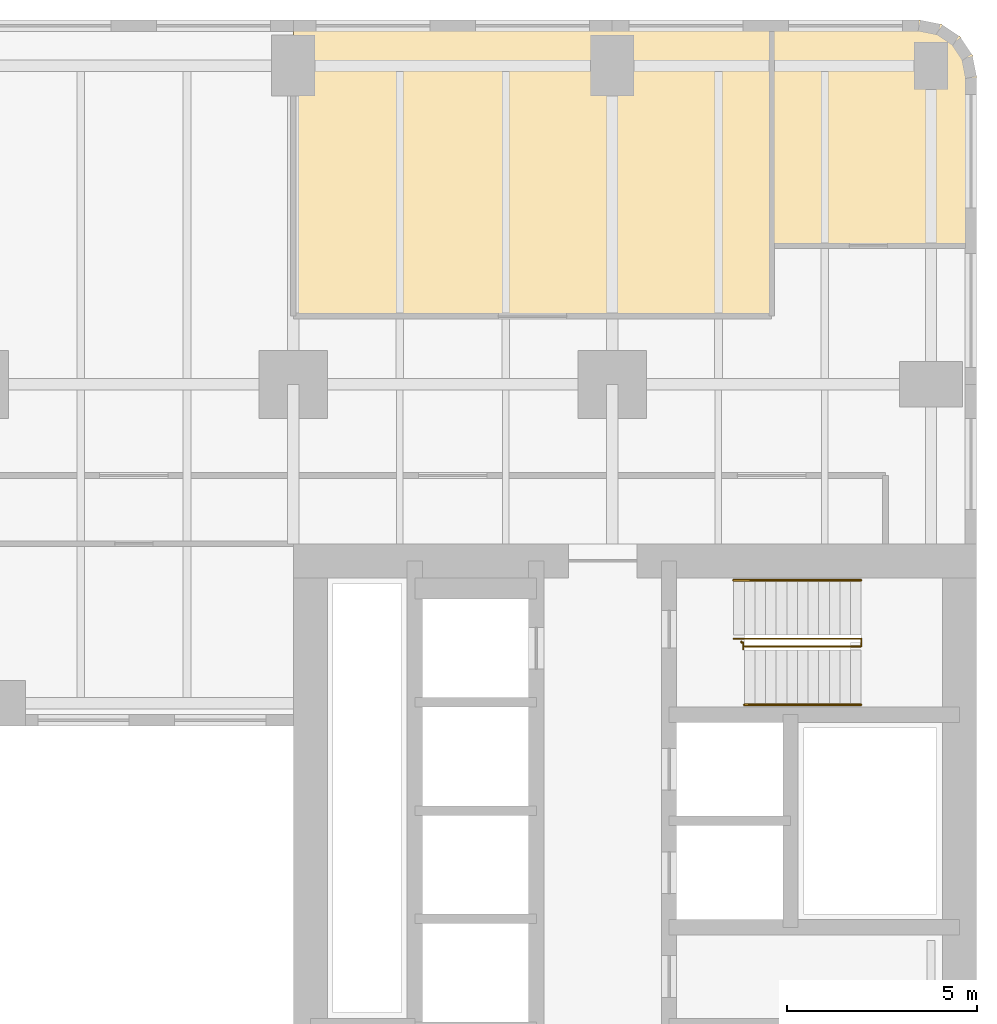
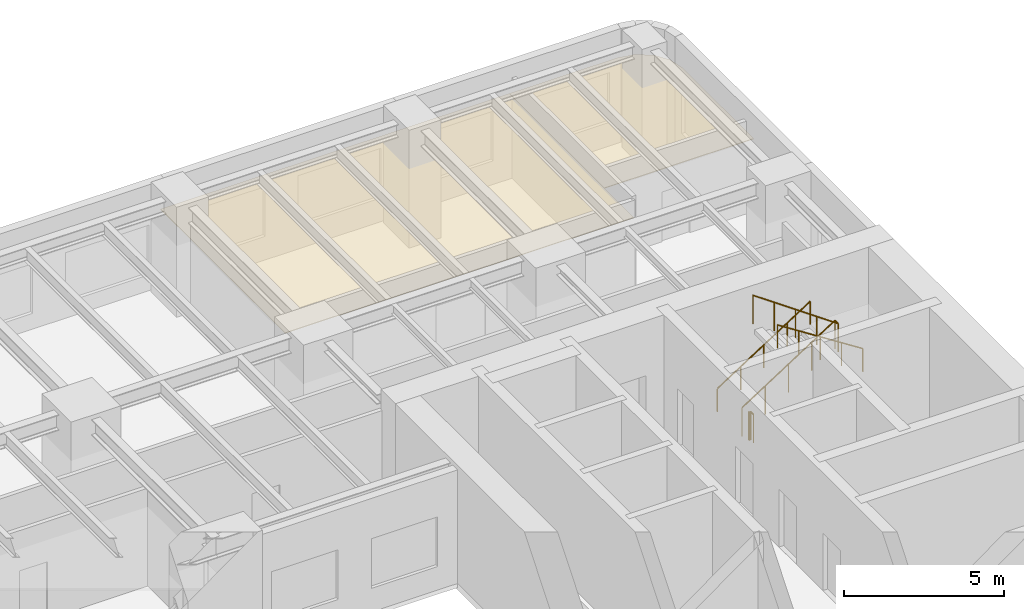
# One storey, part 14 of 14: 4 railings, 2 coverings.
"""IFC4 building model written with IfcOpenShell, lengths in metres."""

from ifc_helpers import new_model, si_unit, direction, frame, origin, origin_2d, place, context, subcontext, project, spatial, polyline, circle, outline, extrude, material, layer, layer_set, type_object, element, save


model = new_model("IFC4")

# Units and contexts
model_context = context("Model", 3, precision=1e-05, world=origin(), true_north=direction((0.0, 1.0)))
body_context = subcontext(model_context, "Body", "Model", "MODEL_VIEW")
ifc_project = project(units=[si_unit("LENGTHUNIT", "METRE"), si_unit("AREAUNIT", "SQUARE_METRE"), si_unit("VOLUMEUNIT", "CUBIC_METRE"), si_unit("PLANEANGLEUNIT", "RADIAN"), si_unit("MASSUNIT", "GRAM", prefix="KILO")], contexts=[model_context])

# Site, building, storey
site_placement = place(None, origin())
site = spatial("IfcSite", under=ifc_project, at=site_placement, CompositionType="ELEMENT")
building_placement = place(site_placement, origin())
building = spatial("IfcBuilding", under=site, at=building_placement, Name="Claustro Exchange Tower", CompositionType="ELEMENT")
storey_placement = place(building_placement, frame((0.0, 0.0, 77.39990234375)))
storey = spatial("IfcBuildingStorey", under=building, at=storey_placement, Name="L17", CompositionType="ELEMENT", Elevation=77.39990234375)

# Coverings
ifc_material_1 = material(Name="Gypsum board ceiling", Category="gypsum board")
ifc_layer = layer(ifc_material_1, 0.02490234375)
ifc_layer_set = layer_set([ifc_layer], Name="Gypsum board ceiling")
covering_type = type_object("IfcCoveringType", Name="CL2 plasterboard ceiling", PredefinedType="CEILING", material=ifc_layer_set)
covering_1_placement = place(storey_placement, frame((0.0, 0.0, 3.0)))
element("IfcCovering", 1, at=covering_1_placement, inside=storey, type_object=covering_type, Name="Ceiling CL2 L17-19", PredefinedType="CEILING", context=body_context, shape_type="SweptSolid", body=[
    extrude(outline(polyline([(46.199951171875, 51.60009765625), (33.60009765625, 51.60009765625), (33.60009765625, 43.800048828125), (46.199951171875, 43.800048828125), (46.199951171875, 51.60009765625)])), origin(), (0.0, 0.0, 1.0), 0.025146484375),
])
covering_2_placement = place(storey_placement, frame((0.0, 0.0, 3.0)))
element("IfcCovering", 2, at=covering_2_placement, inside=storey, type_object=covering_type, Name="Ceiling CL2 L17-20", PredefinedType="CEILING", context=body_context, shape_type="SweptSolid", body=[
    extrude(outline(polyline([(50.10009765625, 51.60009765625), (46.199951171875, 51.60009765625), (46.199951171875, 45.64990234375), (51.60009765625, 45.64990234375), (51.60009765625, 50.10009765625), (51.48583984375, 50.674072265625), (51.16064453125, 51.16064453125), (50.674072265625, 51.48583984375), (50.10009765625, 51.60009765625)])), origin(), (0.0, 0.0, 1.0), 0.025146484375),
])

# Railings
ifc_material_2 = material(Name="Steel balustrade, painted", Category="steel")
railing_type_1 = type_object("IfcRailingType", Name="GR2 1100 steel stair guard", PredefinedType="GUARDRAIL", material=ifc_material_2)
railing_1_placement = place(storey_placement, frame((45.199951171875, 35.300048828125, 0.18017578125)))
element("IfcRailing", 3, at=railing_1_placement, inside=storey, type_object=railing_type_1, Name="Stair well guard GR2 stair STEB L17", PredefinedType="GUARDRAIL", context=body_context, shape_type="SweptSolid", body=[
    extrude(circle(Radius=0.02392578125, at=origin_2d()), frame((0.0, 0.0, 1.076171875), z_axis=(0.84119634759, 0.0, 0.540729789082), x_axis=(0.0, 1.0, 0.0)), (0.0, 0.0, 1.0), 3.994384765625),
    extrude(circle(Radius=0.02392578125, at=origin_2d()), frame((3.360107421875, 0.0, 3.23583984375), z_axis=(0.0, -1.0, 0.0), x_axis=(1.0, 0.0, 0.0)), (0.0, 0.0, 1.0), 0.199951171875),
    extrude(circle(Radius=0.02392578125, at=origin_2d()), frame((3.360107421875, -0.199951171875, 3.23583984375), z_axis=(-0.8187499073, 0.0, 0.574150319426), x_axis=(0.0, -1.0, 0.0)), (0.0, 0.0, 1.0), 3.761962890625),
    extrude(circle(Radius=0.02099609375, at=origin_2d()), origin(), (0.0, 0.0, 1.0), 1.052001953125),
    extrude(circle(Radius=0.02099609375, at=origin_2d()), frame((0.840087890625, 0.0, 0.5400390625)), (0.0, 0.0, 1.0), 1.052001953125),
    extrude(circle(Radius=0.02099609375, at=origin_2d()), frame((1.68017578125, 0.0, 1.080078125)), (0.0, 0.0, 1.0), 1.052001953125),
    extrude(circle(Radius=0.02099609375, at=origin_2d()), frame((2.52001953125, 0.0, 1.619873046875)), (0.0, 0.0, 1.0), 1.052001953125),
    extrude(circle(Radius=0.02099609375, at=origin_2d()), frame((3.360107421875, 0.0, 2.159912109375)), (0.0, 0.0, 1.0), 1.052001953125),
    extrude(circle(Radius=0.02099609375, at=origin_2d()), frame((3.360107421875, -0.199951171875, 2.159912109375)), (0.0, 0.0, 1.0), 1.052001953125),
    extrude(circle(Radius=0.02099609375, at=origin_2d()), frame((2.590087890625, -0.199951171875, 2.699951171875)), (0.0, 0.0, 1.0), 1.052001953125),
    extrude(circle(Radius=0.02099609375, at=origin_2d()), frame((1.820068359375, -0.199951171875, 3.23974609375)), (0.0, 0.0, 1.0), 1.052001953125),
    extrude(circle(Radius=0.02099609375, at=origin_2d()), frame((1.050048828125, -0.199951171875, 3.77978515625)), (0.0, 0.0, 1.0), 1.052001953125),
    extrude(circle(Radius=0.02099609375, at=origin_2d()), frame((0.280029296875, -0.199951171875, 4.31982421875)), (0.0, 0.0, 1.0), 1.052001953125),
])
railing_2_placement = place(storey_placement, frame((45.39990234375, 35.22998046875, 0.0)))
element("IfcRailing", 4, at=railing_2_placement, inside=storey, type_object=railing_type_1, Name="Stair guard GR2 STEB L17", PredefinedType="GUARDRAIL", context=body_context, shape_type="SweptSolid", body=[
    extrude(circle(Radius=0.02392578125, at=origin_2d()), frame((0.0, 0.0, 1.076171875), z_axis=(0.0, -1.0, 0.0), x_axis=(1.0, 0.0, 0.0)), (0.0, 0.0, 1.0), 0.030029296875),
    extrude(circle(Radius=0.02392578125, at=origin_2d()), frame((0.0, -0.030029296875, 1.076171875), z_axis=(1.0, 0.0, 0.0), x_axis=(0.0, 1.0, 0.0)), (0.0, 0.0, 1.0), 0.05517578125),
    extrude(circle(Radius=0.02392578125, at=origin_2d()), frame((0.05517578125, -0.030029296875, 1.076171875), z_axis=(0.0, -1.0, 0.0), x_axis=(1.0, 0.0, 0.0)), (0.0, 0.0, 1.0), 0.179931640625),
    extrude(circle(Radius=0.02099609375, at=origin_2d()), origin(), (0.0, 0.0, 1.0), 1.052001953125),
    extrude(circle(Radius=0.02099609375, at=origin_2d()), frame((0.0, -0.030029296875, 0.0)), (0.0, 0.0, 1.0), 1.052001953125),
    extrude(circle(Radius=0.02099609375, at=origin_2d()), frame((0.05517578125, -0.030029296875, 0.0)), (0.0, 0.0, 1.0), 1.052001953125),
    extrude(circle(Radius=0.02099609375, at=origin_2d()), frame((0.05517578125, -0.2099609375, 0.0)), (0.0, 0.0, 1.0), 1.052001953125),
])
ifc_material_3 = material(Name="Stainless steel tube", Category="steel")
railing_type_2 = type_object("IfcRailingType", Name="HR1 900 stair handrail", PredefinedType="HANDRAIL", material=ifc_material_3)
railing_3_placement = place(storey_placement, frame((45.199951171875, 36.840087890625, 0.18017578125)))
element("IfcRailing", 5, at=railing_3_placement, inside=storey, type_object=railing_type_2, Name="Handrail HR1 stair STEB L17", PredefinedType="HANDRAIL", context=body_context, shape_type="SweptSolid", body=[
    extrude(circle(Radius=0.02392578125, at=origin_2d()), frame((0.0, 0.0, 0.8759765625), z_axis=(0.84119634759, 0.0, 0.540729789082), x_axis=(0.0, 1.0, 0.0)), (0.0, 0.0, 1.0), 3.994384765625),
    extrude(circle(Radius=0.02099609375, at=origin_2d()), origin(), (0.0, 0.0, 1.0), 0.851806640625),
    extrude(circle(Radius=0.02099609375, at=origin_2d()), frame((0.840087890625, 0.0, 0.5400390625)), (0.0, 0.0, 1.0), 0.851806640625),
    extrude(circle(Radius=0.02099609375, at=origin_2d()), frame((1.68017578125, 0.0, 1.080078125)), (0.0, 0.0, 1.0), 0.851806640625),
    extrude(circle(Radius=0.02099609375, at=origin_2d()), frame((2.52001953125, 0.0, 1.619873046875)), (0.0, 0.0, 1.0), 0.851806640625),
    extrude(circle(Radius=0.02099609375, at=origin_2d()), frame((3.360107421875, 0.0, 2.159912109375)), (0.0, 0.0, 1.0), 0.851806640625),
])
railing_4_placement = place(storey_placement, frame((48.56005859375, 33.56005859375, 2.52001953125)))
element("IfcRailing", 6, at=railing_4_placement, inside=storey, type_object=railing_type_2, Name="Handrail HR1 stair STEB L17", PredefinedType="HANDRAIL", context=body_context, shape_type="SweptSolid", body=[
    extrude(circle(Radius=0.02392578125, at=origin_2d()), frame((0.0, 0.0, 0.8759765625), z_axis=(-0.84118714077, 0.0, 0.540744111576), x_axis=(0.0, -1.0, 0.0)), (0.0, 0.0, 1.0), 3.66162109375),
    extrude(circle(Radius=0.02099609375, at=origin_2d()), origin(), (0.0, 0.0, 1.0), 0.851806640625),
    extrude(circle(Radius=0.02099609375, at=origin_2d()), frame((-0.77001953125, 0.0, 0.4951171875)), (0.0, 0.0, 1.0), 0.851806640625),
    extrude(circle(Radius=0.02099609375, at=origin_2d()), frame((-1.5400390625, 0.0, 0.989990234375)), (0.0, 0.0, 1.0), 0.851806640625),
    extrude(circle(Radius=0.02099609375, at=origin_2d()), frame((-2.31005859375, 0.0, 1.48486328125)), (0.0, 0.0, 1.0), 0.851806640625),
    extrude(circle(Radius=0.02099609375, at=origin_2d()), frame((-3.080078125, 0.0, 1.97998046875)), (0.0, 0.0, 1.0), 0.851806640625),
])

save(model, "model.ifc")
